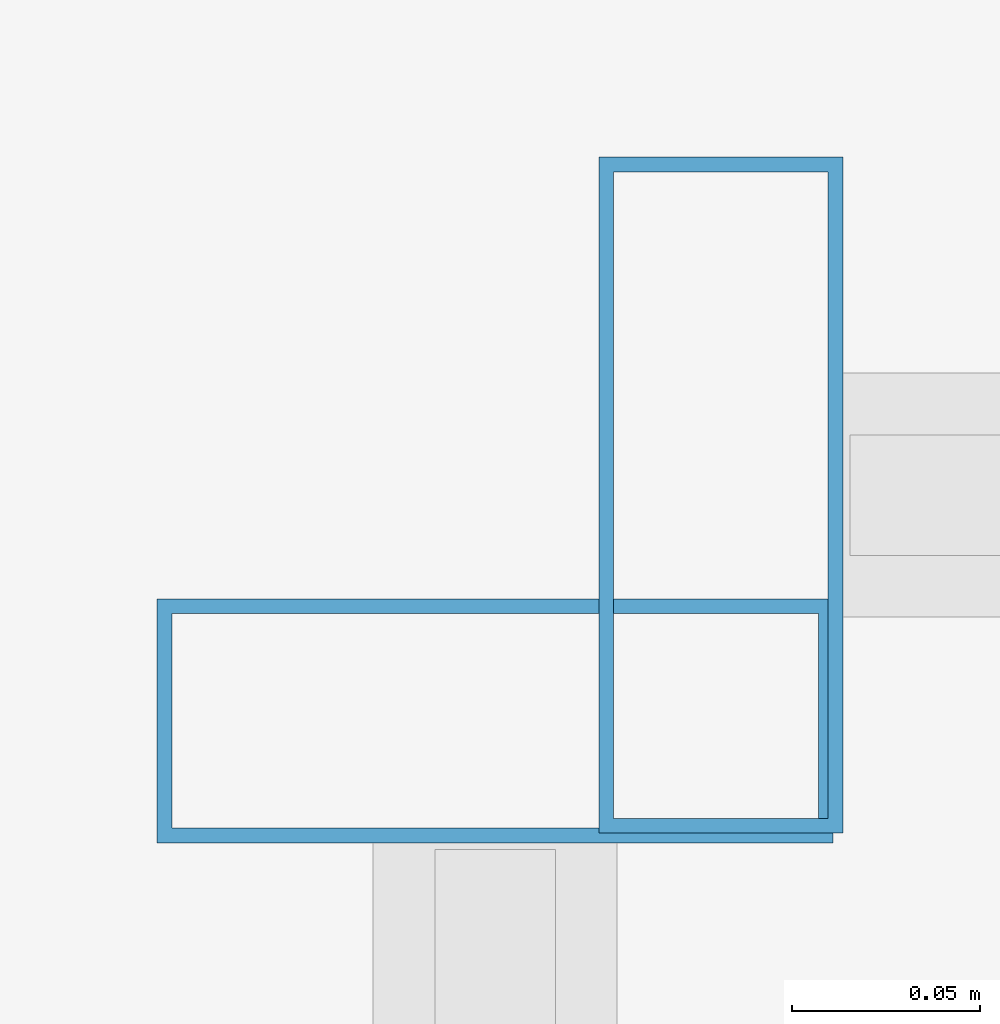
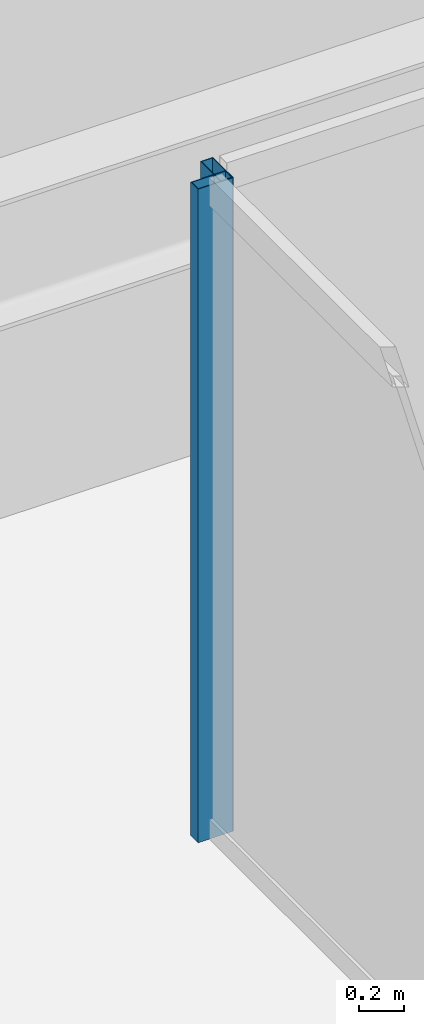
# One storey, part 13 of 36: 2 members, 2 elements without a shape of their own.
"""IFC4 building model written with IfcOpenShell, lengths in metres."""

from ifc_helpers import new_model, si_unit, direction, frame, origin, origin_2d, place, context, subcontext, project, spatial, hollow_rectangle, extrude, material, material_profile, profile_set, type_object, element, aggregate, save


model = new_model("IFC4")

# Units and contexts
model_context = context("Model", 3, precision=1e-05, world=origin(), true_north=direction((0.0, 1.0)))
body_context = subcontext(model_context, "Body", "Model", "MODEL_VIEW")
ifc_project = project(units=[si_unit("LENGTHUNIT", "METRE"), si_unit("AREAUNIT", "SQUARE_METRE"), si_unit("VOLUMEUNIT", "CUBIC_METRE"), si_unit("PLANEANGLEUNIT", "RADIAN"), si_unit("MASSUNIT", "GRAM", prefix="KILO")], contexts=[model_context])

# Site, building, storey
site_placement = place(None, origin())
site = spatial("IfcSite", under=ifc_project, at=site_placement, CompositionType="ELEMENT")
building_placement = place(site_placement, origin())
building = spatial("IfcBuilding", under=site, at=building_placement, Name="Saevonmaru Cultural Tower", CompositionType="ELEMENT")
storey_placement = place(building_placement, frame((0.0, 0.0, 198.0)))
storey = spatial("IfcBuildingStorey", under=building, at=storey_placement, Name="L45", CompositionType="ELEMENT", Elevation=198.0)

# Curtain wall, member
ifc_material = material(Name="Satin Bronze Anodised Aluminium", Category="aluminium")
curtain_wall_type = type_object("IfcCurtainWallType", Name="CW-ATR-GLZ", PredefinedType="NOTDEFINED", material=ifc_material)
curtain_wall_1_placement = place(storey_placement, origin())
curtain_wall_1 = element("IfcCurtainWall", 1, at=curtain_wall_1_placement, inside=storey, type_object=curtain_wall_type, Name="L45 Vertical Atrium Glazed Smoke Screen 3", PredefinedType="NOTDEFINED")
ifc_material_profile = material_profile(ifc_material, hollow_rectangle(XDim=0.06494140625, YDim=0.179931640625, WallThickness=0.00390625, at=origin_2d()), Name="ALU-MULL-180x65x4")
ifc_profile_set = profile_set([ifc_material_profile], Name="Satin Bronze Anodised Aluminium")
member_type = type_object("IfcMemberType", Name="ML-CW-INT-180x65", PredefinedType="MULLION", material=ifc_profile_set)
member_1_placement = place(storey_placement, frame((24.110107421875, 36.75, 0.0), z_axis=(0.0, 0.0, 1.0), x_axis=(-1.0, 0.0, 0.0)))
member_1 = element("IfcMember", 2, at=member_1_placement, type_object=member_type, Name="CW-ATR-L45-3 mullion 2", PredefinedType="MULLION", context=body_context, shape_type="SweptSolid", body=[
    extrude(hollow_rectangle(XDim=0.06494140625, YDim=0.179931640625, WallThickness=0.00390625, at=origin_2d()), origin(), (0.0, 0.0, 1.0), 3.550048828125),
])
aggregate(curtain_wall_1, [member_1])

curtain_wall_2_placement = place(storey_placement, origin())
curtain_wall_2 = element("IfcCurtainWall", 3, at=curtain_wall_2_placement, inside=storey, type_object=curtain_wall_type, Name="L45 Vertical Atrium Glazed Smoke Screen 4", PredefinedType="NOTDEFINED")
member_2_placement = place(storey_placement, frame((24.050048828125, 36.68994140625, 0.0), z_axis=(0.0, 0.0, 1.0), x_axis=(0.0, -1.0, 0.0)))
member_2 = element("IfcMember", 4, at=member_2_placement, type_object=member_type, Name="CW-ATR-L45-4 mullion 1", PredefinedType="MULLION", context=body_context, shape_type="SweptSolid", body=[
    extrude(hollow_rectangle(XDim=0.06494140625, YDim=0.179931640625, WallThickness=0.00390625, at=origin_2d()), origin(), (0.0, 0.0, 1.0), 3.550048828125),
])
aggregate(curtain_wall_2, [member_2])

save(model, "model.ifc")
